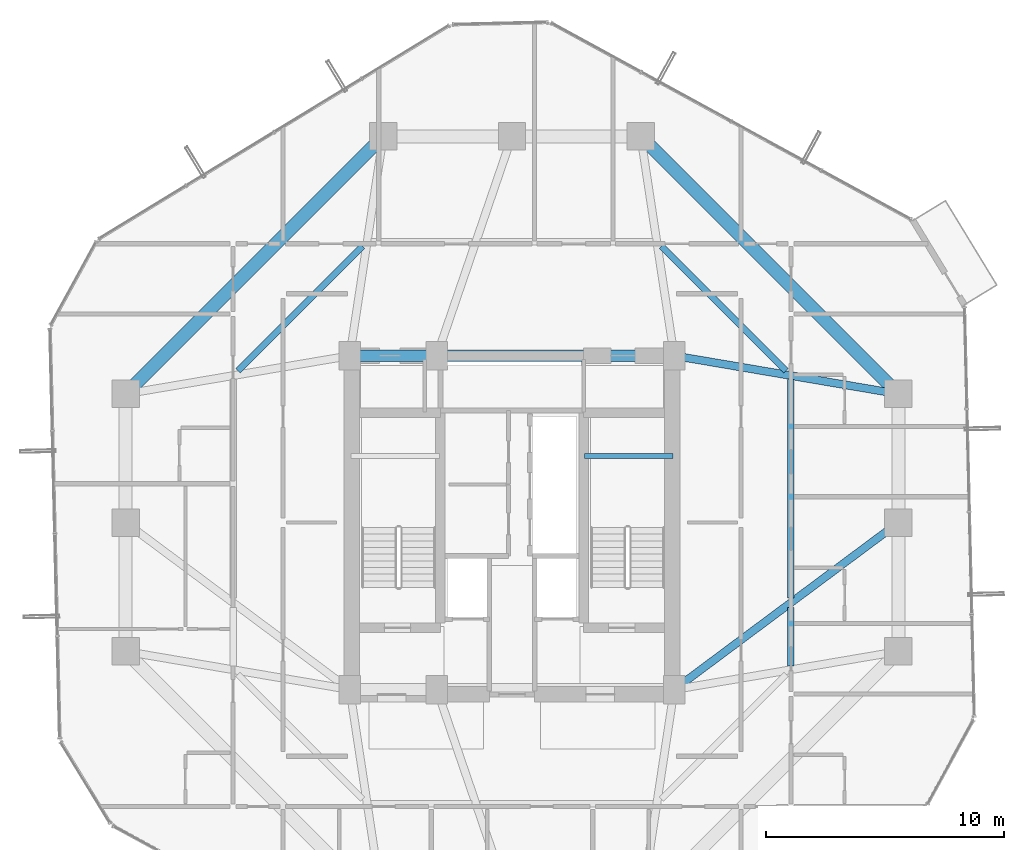
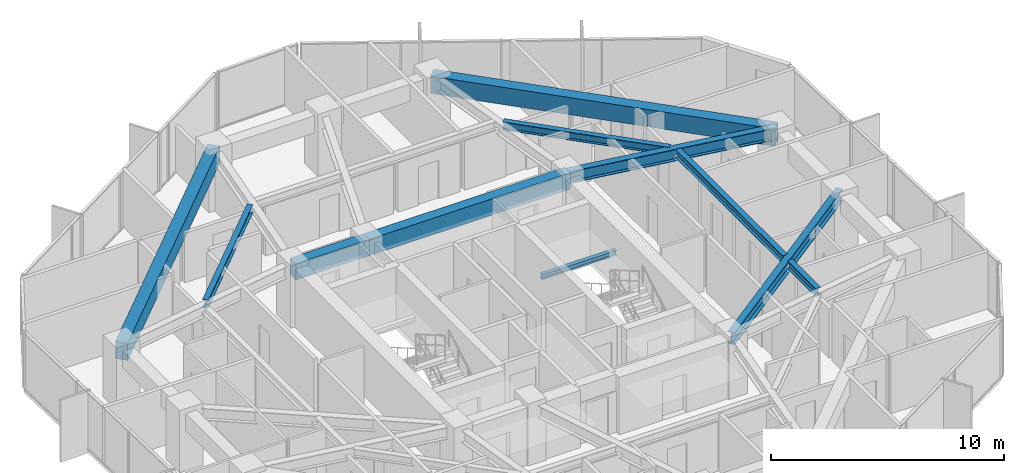
# One storey, part 12 of 31: 11 beams.
"""IFC4 building model written with IfcOpenShell, lengths in metres."""

import ifcopenshell
import ifcopenshell.guid

model = None  # the IFC model being written
_history = None  # IfcOwnerHistory: only IFC2X3 demands one
_inside = {}  # id of a spatial element -> (the spatial element, [elements in it])
_under = {}  # id of a project, library or spatial element -> (it, [spatial elements below it])
_declared = {}  # id of a project -> (the project, [libraries it declares])
_typed = {}  # id of a type object -> (the type object, [elements of that type])
_made_of = {}  # id of a material, layer set ... -> (it, [elements and type objects made of it])


def new_model(schema):
    """Start an empty IFC model of exactly this schema.

    Asked for "IFC4X3", IfcOpenShell would pick the latest addendum, in which some entities
    have other attributes; the version numbers below select the first issue.
    IFC2X3 requires an IfcOwnerHistory on every rooted entity: one is made here for all.
    """
    global model, _history
    if schema == "IFC4X3":
        model = ifcopenshell.file(schema_version=(4, 3, 0, 0))
    else:
        model = ifcopenshell.file(schema=schema)
    _inside.clear()
    _under.clear()
    _declared.clear()
    _typed.clear()
    _made_of.clear()
    _history = None
    if model.schema == "IFC2X3":
        org = make("IfcOrganization", Name="unknown")
        user = make(
            "IfcPersonAndOrganization",
            ThePerson=make("IfcPerson", FamilyName="unknown"),
            TheOrganization=org,
        )
        app = make(
            "IfcApplication",
            ApplicationDeveloper=org,
            Version="unknown",
            ApplicationFullName="unknown",
            ApplicationIdentifier="unknown",
        )
        _history = make(
            "IfcOwnerHistory",
            OwningUser=user,
            OwningApplication=app,
            ChangeAction="ADDED",
            CreationDate=0,
        )
    return model


def make(cls, **values):
    """One entity of the class cls with the attributes given. An attribute that is None is left unset."""
    return model.create_entity(
        cls, **{name: value for name, value in values.items() if value is not None}
    )


def rooted(cls, **values):
    """An entity with a GlobalId (a new one), such as an element, a storey or a relation."""
    return make(cls, GlobalId=ifcopenshell.guid.new(), OwnerHistory=_history, **values)


def si_unit(unit_type, name, prefix=None):
    """IfcSIUnit, for example si_unit("LENGTHUNIT", "METRE", prefix="MILLI")."""
    return make("IfcSIUnit", UnitType=unit_type, Prefix=prefix, Name=name)


def assignment(units):
    """IfcUnitAssignment: the units of a project."""
    return None if units is None else make("IfcUnitAssignment", Units=units)


def point(xyz):
    """IfcCartesianPoint."""
    return None if xyz is None else make("IfcCartesianPoint", Coordinates=xyz)


def direction(xyz):
    """IfcDirection."""
    return None if xyz is None else make("IfcDirection", DirectionRatios=xyz)


def frame(location, z_axis=None, x_axis=None):
    """IfcAxis2Placement3D, a coordinate frame: its origin and axes. An axis left out is left unset."""
    return make(
        "IfcAxis2Placement3D",
        Location=point(location),
        Axis=direction(z_axis),
        RefDirection=direction(x_axis),
    )


def frame_2d(location, x_axis=None):
    """IfcAxis2Placement2D, a coordinate frame in the plane: its origin and x axis."""
    return make(
        "IfcAxis2Placement2D", Location=point(location), RefDirection=direction(x_axis)
    )


def origin():
    """The frame at (0, 0, 0) with its axes left unset."""
    return frame((0.0, 0.0, 0.0))


def origin_2d():
    """The frame at (0, 0) in the plane with its x axis left unset."""
    return frame_2d((0.0, 0.0))


def place(relative_to, where):
    """IfcLocalPlacement: puts the frame where relative to a parent placement (None: the world)."""
    return make(
        "IfcLocalPlacement", PlacementRelTo=relative_to, RelativePlacement=where
    )


def context(
    kind, dimensions, precision=None, world=None, true_north=None, identifier=None
):
    """IfcGeometricRepresentationContext, for example the 3D "Model" context."""
    return make(
        "IfcGeometricRepresentationContext",
        ContextIdentifier=identifier,
        ContextType=kind,
        CoordinateSpaceDimension=dimensions,
        Precision=precision,
        WorldCoordinateSystem=world,
        TrueNorth=true_north,
    )


def subcontext(parent, identifier, kind, view, scale=None):
    """IfcGeometricRepresentationSubContext, for example "Body" below "Model"."""
    return make(
        "IfcGeometricRepresentationSubContext",
        ContextIdentifier=identifier,
        ContextType=kind,
        ParentContext=parent,
        TargetScale=scale,
        TargetView=view,
    )


def project(units=None, contexts=None):
    """IfcProject with its units and contexts."""
    return rooted(
        "IfcProject",
        Name="project",
        RepresentationContexts=contexts,
        UnitsInContext=assignment(units),
    )


def spatial(cls, under=None, at=None, **own):
    """A site, building, storey or space (cls), placed at a placement, below another one or the project."""
    s = rooted(cls, ObjectPlacement=at, **own)
    if under is not None:
        _under.setdefault(under.id(), (under, []))[1].append(s)
    return s


def profile(cls, at=None, kind="AREA", **sizes):
    """A parametric profile (cls). Its sizes go by their IFC names, for example OverallWidth=200.0."""
    return make(cls, ProfileType=kind, Position=at, **sizes)


def rectangle(**sizes):
    """IfcRectangleProfileDef."""
    return profile("IfcRectangleProfileDef", **sizes)


def i_section(**sizes):
    """IfcIShapeProfileDef."""
    return profile("IfcIShapeProfileDef", **sizes)


def extrude(swept, where, along, depth):
    """IfcExtrudedAreaSolid: the profile swept, set in the frame where, extruded along a direction by depth."""
    return make(
        "IfcExtrudedAreaSolid",
        SweptArea=swept,
        Position=where,
        ExtrudedDirection=direction(along),
        Depth=depth,
    )


def shape(context_of_items, identifier, shape_type, items):
    """IfcShapeRepresentation: the items that make up one representation, for example the "Body"."""
    return make(
        "IfcShapeRepresentation",
        ContextOfItems=context_of_items,
        RepresentationIdentifier=identifier,
        RepresentationType=shape_type,
        Items=items,
    )


def material(Name=None, Category=None):
    """IfcMaterial."""
    return make("IfcMaterial", Name=Name, Category=Category)


def material_profile(
    of_material, cross_section, Name=None, Category=None, Priority=None
):
    """IfcMaterialProfile: a cross section and its material."""
    return make(
        "IfcMaterialProfile",
        Name=Name,
        Material=of_material,
        Profile=cross_section,
        Priority=Priority,
        Category=Category,
    )


def profile_set(profiles, Name=None, composite=None):
    """IfcMaterialProfileSet."""
    return make(
        "IfcMaterialProfileSet",
        Name=Name,
        MaterialProfiles=profiles,
        CompositeProfile=composite,
    )


def made_of(thing, what):
    """Note that an element or type object is made of a material, layer set ...; save() writes the relation."""
    if what is not None:
        _made_of.setdefault(what.id(), (what, []))[1].append(thing)
    return thing


def type_object(cls, material=None, **own):
    """A type object (cls), such as IfcWallType, which elements share."""
    return made_of(rooted(cls, **own), material)


def element(
    cls,
    number,
    at=None,
    inside=None,
    cuts=None,
    type_object=None,
    material=None,
    context=None,
    identifier="Body",
    shape_type=None,
    held_by="IfcProductDefinitionShape",
    body=None,
    shapes=None,
    **own,
):
    """One element of the class cls, such as IfcWall. Its Tag is "e" and its number.

    at: its placement. inside: the storey or other place that contains it. cuts: it is an
    opening in that element (IfcRelVoidsElement). A single representation is given by context,
    identifier, shape_type and body (its items); several are given by shapes. held_by: the class
    of the entity that holds the representations. save() writes the other relations.
    """
    e = rooted(cls, Tag="e%d" % number, ObjectPlacement=at, **own)
    if body is not None:
        shapes = [shape(context, identifier, shape_type, body)]
    if shapes is not None:
        e.Representation = make(held_by, Representations=shapes)
    if inside is not None:
        _inside.setdefault(inside.id(), (inside, []))[1].append(e)
    if cuts is not None:
        rooted(
            "IfcRelVoidsElement", RelatingBuildingElement=cuts, RelatedOpeningElement=e
        )
    if type_object is not None:
        _typed.setdefault(type_object.id(), (type_object, []))[1].append(e)
    return made_of(e, material)


def aggregate(whole, parts):
    """IfcRelAggregates: a whole, such as a stair, and the parts it consists of."""
    return rooted("IfcRelAggregates", RelatingObject=whole, RelatedObjects=parts)


def save(model, path):
    """Write the relations noted so far, then the file.

    IfcRelAggregates (storeys below a building ...), IfcRelContainedInSpatialStructure (elements
    in a storey), IfcRelDefinesByType, IfcRelAssociatesMaterial and IfcRelDeclares: one each for
    every whole, place, type object, material and project.
    """
    for whole, parts in _under.values():
        aggregate(whole, parts)
    for where, things in _inside.values():
        rooted(
            "IfcRelContainedInSpatialStructure",
            RelatedElements=things,
            RelatingStructure=where,
        )
    for kind, things in _typed.values():
        rooted("IfcRelDefinesByType", RelatedObjects=things, RelatingType=kind)
    for what, things in _made_of.values():
        rooted("IfcRelAssociatesMaterial", RelatedObjects=things, RelatingMaterial=what)
    for by, libraries in _declared.values():
        rooted("IfcRelDeclares", RelatingContext=by, RelatedDefinitions=libraries)
    model.write(path)


model = new_model("IFC4")

# Units and contexts
model_context = context("Model", 3, precision=1e-05, world=origin(), true_north=direction((0.0, 1.0)))
body_context = subcontext(model_context, "Body", "Model", "MODEL_VIEW")
ifc_project = project(units=[si_unit("LENGTHUNIT", "METRE"), si_unit("AREAUNIT", "SQUARE_METRE"), si_unit("VOLUMEUNIT", "CUBIC_METRE"), si_unit("PLANEANGLEUNIT", "RADIAN"), si_unit("MASSUNIT", "GRAM", prefix="KILO")], contexts=[model_context])

# Site, building, storey
site_placement = place(None, origin())
site = spatial("IfcSite", under=ifc_project, at=site_placement, CompositionType="ELEMENT")
building_placement = place(site_placement, origin())
building = spatial("IfcBuilding", under=site, at=building_placement, Name="Veraguas Prism Commons", CompositionType="ELEMENT")
storey_placement = place(building_placement, frame((0.0, 0.0, 132.75)))
storey = spatial("IfcBuildingStorey", under=building, at=storey_placement, Name="L37", CompositionType="ELEMENT", Elevation=132.75)

# Beams
ifc_material_1 = material(Name="Concrete C50/60", Category="concrete")
ifc_material_profile_1 = material_profile(ifc_material_1, rectangle(XDim=0.5, YDim=0.85009765625, at=origin_2d()), Name="RC500X850")
ifc_profile_set_1 = profile_set([ifc_material_profile_1], Name="Concrete C50/60")
beam_type_1 = type_object("IfcBeamType", Name="Core Coupling Beam RC 500x850", PredefinedType="BEAM", material=ifc_profile_set_1)
beam_1_placement = place(storey_placement, frame((17.199951171875, 31.0, 2.574951171875), z_axis=(1.0, 0.0, 0.0), x_axis=(0.0, 1.0, 0.0)))
element("IfcBeam", 1, at=beam_1_placement, inside=storey, type_object=beam_type_1, Name="Core Coupling Beam L37-CRN1", PredefinedType="BEAM", context=body_context, shape_type="SweptSolid", body=[
    extrude(rectangle(XDim=0.5, YDim=0.85009765625, at=origin_2d()), origin(), (0.0, 0.0, 1.0), 3.650146484375),
])
beam_2_placement = place(storey_placement, frame((20.85009765625, 31.0, 2.574951171875), z_axis=(1.0, 0.0, 0.0), x_axis=(0.0, 1.0, 0.0)))
element("IfcBeam", 2, at=beam_2_placement, inside=storey, type_object=beam_type_1, Name="Core Coupling Beam L37-CRN2", PredefinedType="BEAM", context=body_context, shape_type="SweptSolid", body=[
    extrude(rectangle(XDim=0.5, YDim=0.85009765625, at=origin_2d()), origin(), (0.0, 0.0, 1.0), 9.949951171875),
])
ifc_material_2 = material(Name="Steel ASTM A992 Grade 50", Category="steel")
ifc_material_profile_2 = material_profile(ifc_material_2, i_section(OverallWidth=0.260986328125, OverallDepth=0.419921875, WebThickness=0.01171875, FlangeThickness=0.019287109375, at=origin_2d()), Name="W410X114")
ifc_profile_set_2 = profile_set([ifc_material_profile_2], Name="Steel ASTM A992 Grade 50")
beam_type_2 = type_object("IfcBeamType", Name="Lower Floor Joist W410x114", PredefinedType="JOIST", material=ifc_profile_set_2)
beam_3_placement = place(storey_placement, frame((35.68798828125, 17.996337890625, 2.7900390625), z_axis=(0.0, 1.0, 0.0), x_axis=(-1.0, 0.0, 0.0)))
element("IfcBeam", 3, at=beam_3_placement, inside=storey, type_object=beam_type_2, Name="Composite Floor Joist L37-JS01", PredefinedType="JOIST", context=body_context, shape_type="SweptSolid", body=[
    extrude(i_section(OverallWidth=0.260986328125, OverallDepth=0.419921875, WebThickness=0.01171875, FlangeThickness=0.019287109375, at=origin_2d()), origin(), (0.0, 0.0, 1.0), 2.441650390625),
])
beam_4_placement = place(storey_placement, frame((35.68798828125, 20.842041015625, 2.7900390625), z_axis=(0.0, 1.0, 0.0), x_axis=(-1.0, 0.0, 0.0)))
element("IfcBeam", 4, at=beam_4_placement, inside=storey, type_object=beam_type_2, Name="Composite Floor Joist L37-JS02", PredefinedType="JOIST", context=body_context, shape_type="SweptSolid", body=[
    extrude(i_section(OverallWidth=0.260986328125, OverallDepth=0.419921875, WebThickness=0.01171875, FlangeThickness=0.019287109375, at=origin_2d()), origin(), (0.0, 0.0, 1.0), 9.16162109375),
])
for number, where, z_axis, x_axis, name in (
    (5, (35.489990234375, 30.365966796875, 2.7900390625), (-0.707090260193, 0.707123301794, 0.0), (-0.707123301794, -0.707090260193, 0.0), "Composite Floor Joist L37-JS03"),
    (6, (17.734619140625, 35.5908203125, 2.7900390625), (-0.707090260193, -0.707123301794, 0.0), (0.707123301794, -0.707090260193, 0.0), "Composite Floor Joist L37-JS06"),
):
    element("IfcBeam", number, at=place(storey_placement, frame(where, z_axis=z_axis, x_axis=x_axis)), inside=storey, type_object=beam_type_2, Name=name, PredefinedType="JOIST", context=body_context, shape_type="SweptSolid", body=[
        extrude(i_section(OverallWidth=0.260986328125, OverallDepth=0.419921875, WebThickness=0.01171875, FlangeThickness=0.019287109375, at=origin_2d()), origin(), (0.0, 0.0, 1.0), 7.388916015625),
    ])
ifc_material_profile_3 = material_profile(ifc_material_1, rectangle(XDim=0.550048828125, YDim=0.89990234375, at=origin_2d()), Name="RC550X900")
ifc_profile_set_3 = profile_set([ifc_material_profile_3], Name="Concrete C50/60")
beam_type_3 = type_object("IfcBeamType", Name="Perimeter Spandrel Lower RC 550x900", PredefinedType="SPANDREL", material=ifc_profile_set_3)
for number, where, z_axis, x_axis, name in (
    (7, (40.199951171875, 29.39990234375, 2.550048828125), (-0.707106781187, 0.707106781187, 0.0), (-0.707106781187, -0.707106781187, 0.0), "Perimeter Spandrel Beam L37-SP03"),
    (8, (18.60009765625, 40.199951171875, 2.550048828125), (-0.707106781187, -0.707106781187, 0.0), (0.707106781187, -0.707106781187, 0.0), "Perimeter Spandrel Beam L37-SP06"),
):
    element("IfcBeam", number, at=place(storey_placement, frame(where, z_axis=z_axis, x_axis=x_axis)), inside=storey, type_object=beam_type_3, Name=name, PredefinedType="SPANDREL", context=body_context, shape_type="SweptSolid", body=[
        extrude(rectangle(XDim=0.550048828125, YDim=0.89990234375, at=origin_2d()), origin(), (0.0, 0.0, 1.0), 15.273681640625),
    ])
ifc_material_profile_4 = material_profile(ifc_material_2, i_section(OverallWidth=0.202880859375, OverallDepth=0.251953125, WebThickness=0.008056640625, FlangeThickness=0.013427734375, at=origin_2d()), Name="W250X58")
ifc_profile_set_4 = profile_set([ifc_material_profile_4], Name="Steel ASTM A992 Grade 50")
beam_type_4 = type_object("IfcBeamType", Name="Structural Opening Lintel W250x58", PredefinedType="LINTEL", material=ifc_profile_set_4)
beam_5_placement = place(storey_placement, frame((27.050048828125, 26.800048828125, 1.299072265625), z_axis=(1.0, 0.0, 0.0), x_axis=(0.0, 1.0, 0.0)))
element("IfcBeam", 9, at=beam_5_placement, inside=storey, type_object=beam_type_4, Name="Stair ST-02 Half-Landing Support Beam L37-1", PredefinedType="LINTEL", context=body_context, shape_type="SweptSolid", body=[
    extrude(i_section(OverallWidth=0.202880859375, OverallDepth=0.251953125, WebThickness=0.008056640625, FlangeThickness=0.013427734375, at=origin_2d()), origin(), (0.0, 0.0, 1.0), 3.699951171875),
])
ifc_material_profile_5 = material_profile(ifc_material_2, i_section(OverallWidth=0.327880859375, OverallDepth=0.6220703125, WebThickness=0.015380859375, FlangeThickness=0.0244140625, at=origin_2d()), Name="W610X195")
ifc_profile_set_5 = profile_set([ifc_material_profile_5], Name="Steel ASTM A992 Grade 50")
beam_type_5 = type_object("IfcBeamType", Name="Zone 2 Radial Girder W610x195", PredefinedType="BEAM", material=ifc_profile_set_5)
beam_6_placement = place(storey_placement, frame((40.199951171875, 24.0, 2.68896484375), z_axis=(-0.802040137921, -0.597270137512, 0.0), x_axis=(0.597270137512, -0.802040137921, 0.0)))
element("IfcBeam", 10, at=beam_6_placement, inside=storey, type_object=beam_type_5, Name="Radial Floor Girder L37-RD02", PredefinedType="BEAM", context=body_context, shape_type="SweptSolid", body=[
    extrude(i_section(OverallWidth=0.327880859375, OverallDepth=0.6220703125, WebThickness=0.015380859375, FlangeThickness=0.0244140625, at=origin_2d()), origin(), (0.0, 0.0, 1.0), 11.719970703125),
])
beam_7_placement = place(storey_placement, frame((40.199951171875, 29.39990234375, 2.68896484375), z_axis=(-0.985819187151, 0.1678109956, 0.0), x_axis=(-0.1678109956, -0.985819187151, 0.0)))
element("IfcBeam", 11, at=beam_7_placement, inside=storey, type_object=beam_type_5, Name="Radial Floor Girder L37-RD03", PredefinedType="BEAM", context=body_context, shape_type="SweptSolid", body=[
    extrude(i_section(OverallWidth=0.327880859375, OverallDepth=0.6220703125, WebThickness=0.015380859375, FlangeThickness=0.0244140625, at=origin_2d()), origin(), (0.0, 0.0, 1.0), 9.53515625),
])

save(model, "model.ifc")
